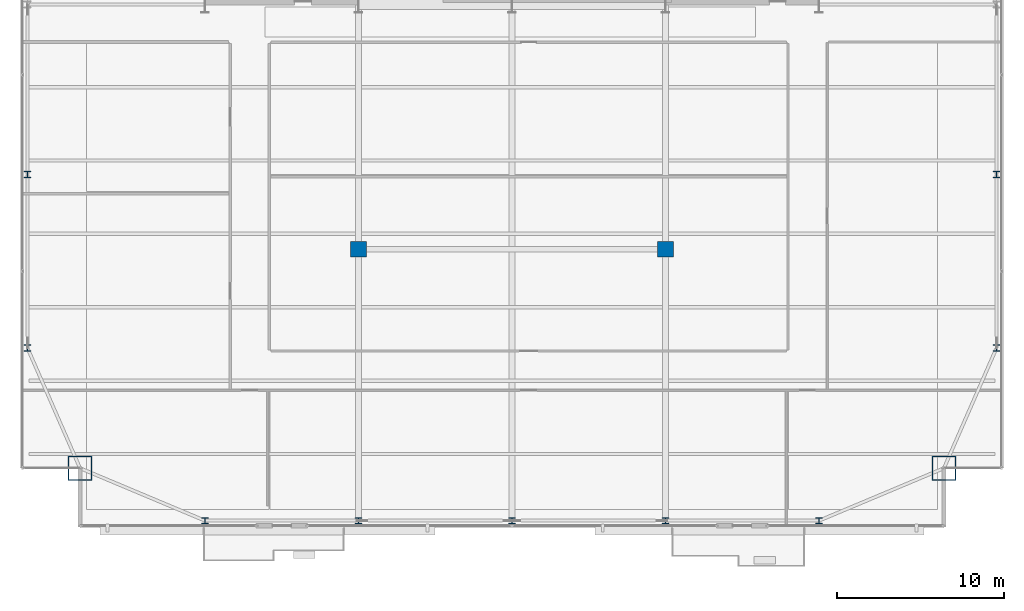
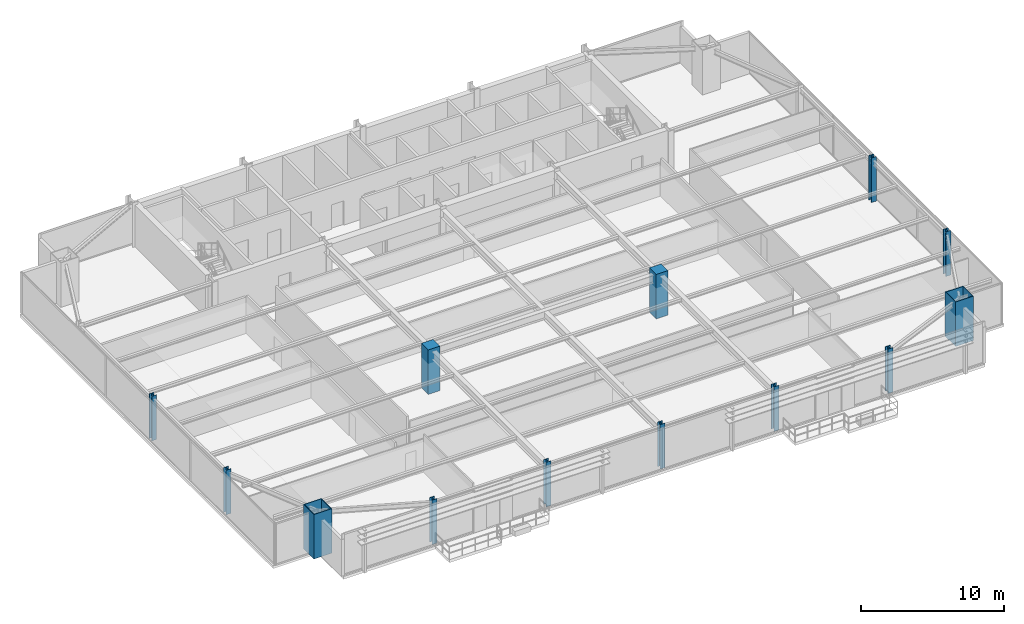
# One storey, part 1 of 36: 13 columns.
"""IFC4 building model written with IfcOpenShell, lengths in metres."""

from ifc_helpers import new_model, si_unit, direction, frame, origin, origin_2d, place, context, subcontext, project, spatial, rectangle, hollow_rectangle, i_section, extrude, source, transform, mapped, material, material_profile, profile_set, type_object, type_shapes, element, save


model = new_model("IFC4")

# Units and contexts
model_context = context("Model", 3, precision=1e-05, world=origin(), true_north=direction((0.0, 1.0)))
body_context = subcontext(model_context, "Body", "Model", "MODEL_VIEW")
ifc_project = project(units=[si_unit("LENGTHUNIT", "METRE"), si_unit("AREAUNIT", "SQUARE_METRE"), si_unit("VOLUMEUNIT", "CUBIC_METRE"), si_unit("PLANEANGLEUNIT", "RADIAN"), si_unit("MASSUNIT", "GRAM", prefix="KILO")], contexts=[model_context])

# Site, building, storey
site_placement = place(None, origin())
site = spatial("IfcSite", under=ifc_project, at=site_placement, CompositionType="ELEMENT")
building_placement = place(site_placement, origin())
building = spatial("IfcBuilding", under=site, at=building_placement, Name="Varnel Quay Broadcast Tower", CompositionType="ELEMENT")
storey_placement = place(building_placement, frame((0.0, 0.0, 114.39990234375)))
storey = spatial("IfcBuildingStorey", under=building, at=storey_placement, Name="L27", CompositionType="ELEMENT", Elevation=114.39990234375)

# Columns
ifc_material_1 = material(Name="Structural Steel CSA G40.21 350WT", Category="steel")
ifc_material_profile_1 = material_profile(ifc_material_1, hollow_rectangle(XDim=1.449951171875, YDim=1.449951171875, WallThickness=0.054931640625, at=origin_2d()), Name="BOX1450X1450X55")
ifc_profile_set_1 = profile_set([ifc_material_profile_1], Name="Structural Steel CSA G40.21 350WT")
column_type_1 = type_object("IfcColumnType", Name="Col_BOX1450X1450X55", PredefinedType="COLUMN", material=ifc_profile_set_1)
shared_shape_1 = source(origin(), body_context, "Body", "SweptSolid", [
    extrude(hollow_rectangle(XDim=1.449951171875, YDim=1.449951171875, WallThickness=0.054931640625, at=origin_2d()), origin(), (0.0, 0.0, 1.0), 3.800048828125),
])
type_shapes(column_type_1, [shared_shape_1])
for number, where, z_axis, x_axis, name in (
    (1, (8.10009765625, 7.800048828125, 0.0), (0.0, 0.0, 1.0), (1.0, 0.0, 0.0), "L27 Column MC-SW"),
    (2, (59.89990234375, 7.800048828125, 0.0), (0.0, 0.0, 1.0), (1.0, 0.0, 0.0), "L27 Column MC-SE"),
):
    element("IfcColumn", number, at=place(storey_placement, frame(where, z_axis=z_axis, x_axis=x_axis)), inside=storey, type_object=column_type_1, Name=name, PredefinedType="COLUMN", context=body_context, shape_type="MappedRepresentation", body=[
        mapped(shared_shape_1, transform((0.0, 0.0, 0.0), x_axis=(1.0, 0.0, 0.0), y_axis=(0.0, 1.0, 0.0), z_axis=(0.0, 0.0, 1.0), scale=1.0)),
    ])
ifc_material_2 = material(Name="Structural Steel CSA G40.21 350W", Category="steel")
ifc_material_profile_2 = material_profile(ifc_material_2, i_section(OverallWidth=0.39794921875, OverallDepth=0.386962890625, WebThickness=0.02099609375, FlangeThickness=0.033203125, FilletRadius=0.01806640625, at=origin_2d()), Name="W360X262")
ifc_profile_set_2 = profile_set([ifc_material_profile_2], Name="Structural Steel CSA G40.21 350W")
column_type_2 = type_object("IfcColumnType", Name="Col_W360X262", PredefinedType="COLUMN", material=ifc_profile_set_2)
shared_shape_2 = source(origin(), body_context, "Body", "SweptSolid", [
    extrude(i_section(OverallWidth=0.39794921875, OverallDepth=0.386962890625, WebThickness=0.02099609375, FlangeThickness=0.033203125, FilletRadius=0.01806640625, at=origin_2d()), origin(), (0.0, 0.0, 1.0), 3.800048828125),
])
type_shapes(column_type_2, [shared_shape_2])
for number, where, z_axis, x_axis, name in (
    (3, (15.60009765625, 4.64990234375, 0.0), (0.0, 0.0, 1.0), (1.0, 0.0, 0.0), "L27 Column TC-S1"),
    (4, (24.800048828125, 4.64990234375, 0.0), (0.0, 0.0, 1.0), (1.0, 0.0, 0.0), "L27 Column TC-S2"),
    (5, (34.0, 4.64990234375, 0.0), (0.0, 0.0, 1.0), (1.0, 0.0, 0.0), "L27 Column TC-S3"),
    (6, (43.199951171875, 4.64990234375, 0.0), (0.0, 0.0, 1.0), (1.0, 0.0, 0.0), "L27 Column TC-S4"),
    (7, (52.39990234375, 4.64990234375, 0.0), (0.0, 0.0, 1.0), (1.0, 0.0, 0.0), "L27 Column TC-S5"),
    (8, (4.949951171875, 15.0, 0.0), (0.0, 0.0, 1.0), (1.0, 0.0, 0.0), "L27 Column TC-W1"),
    (9, (63.050048828125, 15.0, 0.0), (0.0, 0.0, 1.0), (1.0, 0.0, 0.0), "L27 Column TC-E1"),
    (10, (4.949951171875, 25.39990234375, 0.0), (0.0, 0.0, 1.0), (1.0, 0.0, 0.0), "L27 Column TC-W2"),
    (11, (63.050048828125, 25.39990234375, 0.0), (0.0, 0.0, 1.0), (1.0, 0.0, 0.0), "L27 Column TC-E2"),
):
    element("IfcColumn", number, at=place(storey_placement, frame(where, z_axis=z_axis, x_axis=x_axis)), inside=storey, type_object=column_type_2, Name=name, PredefinedType="COLUMN", context=body_context, shape_type="MappedRepresentation", body=[
        mapped(shared_shape_2, transform((0.0, 0.0, 0.0), x_axis=(1.0, 0.0, 0.0), y_axis=(0.0, 1.0, 0.0), z_axis=(0.0, 0.0, 1.0), scale=1.0)),
    ])
ifc_material_3 = material(Name="Concrete CSA A23.3 C50/60", Category="concrete")
ifc_material_profile_3 = material_profile(ifc_material_3, rectangle(XDim=0.949951171875, YDim=0.949951171875, at=origin_2d()), Name="RC950X950")
ifc_profile_set_3 = profile_set([ifc_material_profile_3], Name="Concrete CSA A23.3 C50/60")
column_type_3 = type_object("IfcColumnType", Name="Col_RC950X950", PredefinedType="COLUMN", material=ifc_profile_set_3)
shared_shape_3 = source(origin(), body_context, "Body", "SweptSolid", [
    extrude(rectangle(XDim=0.949951171875, YDim=0.949951171875, at=origin_2d()), origin(), (0.0, 0.0, 1.0), 3.800048828125),
])
type_shapes(column_type_3, [shared_shape_3])
for number, where, z_axis, x_axis, name in (
    (12, (24.800048828125, 20.929931640625, 0.0), (0.0, 0.0, 1.0), (1.0, 0.0, 0.0), "L27 Column IC-01"),
    (13, (43.199951171875, 20.929931640625, 0.0), (0.0, 0.0, 1.0), (1.0, 0.0, 0.0), "L27 Column IC-02"),
):
    element("IfcColumn", number, at=place(storey_placement, frame(where, z_axis=z_axis, x_axis=x_axis)), inside=storey, type_object=column_type_3, Name=name, PredefinedType="COLUMN", context=body_context, shape_type="MappedRepresentation", body=[
        mapped(shared_shape_3, transform((0.0, 0.0, 0.0), x_axis=(1.0, 0.0, 0.0), y_axis=(0.0, 1.0, 0.0), z_axis=(0.0, 0.0, 1.0), scale=1.0)),
    ])

save(model, "model.ifc")
